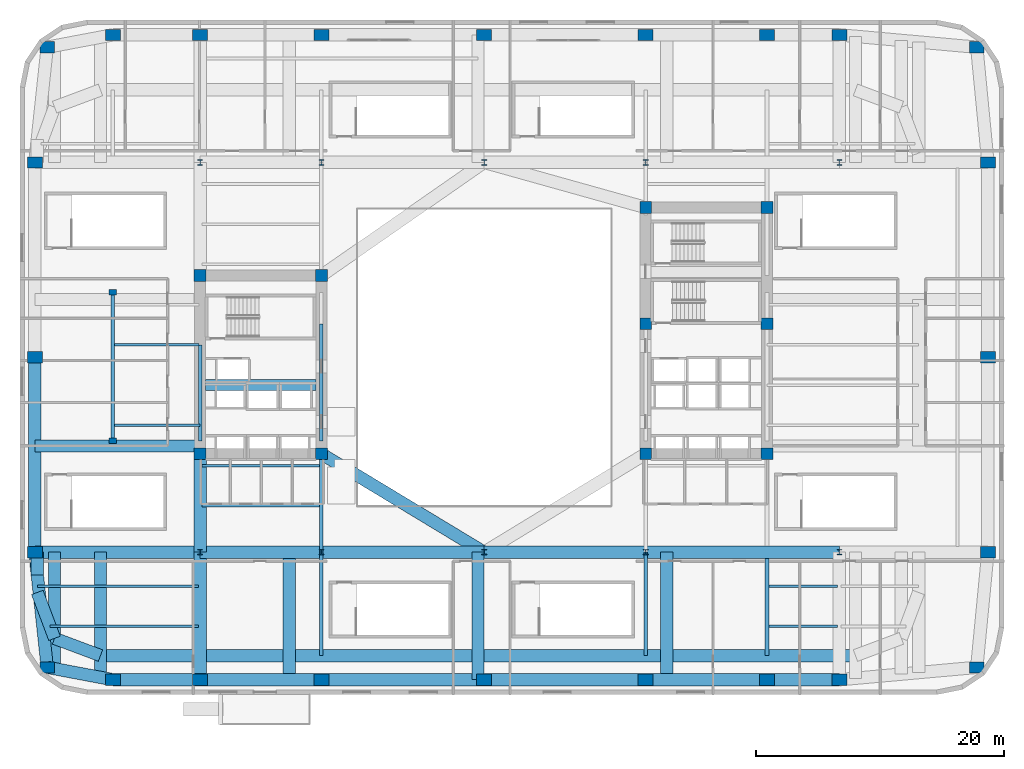
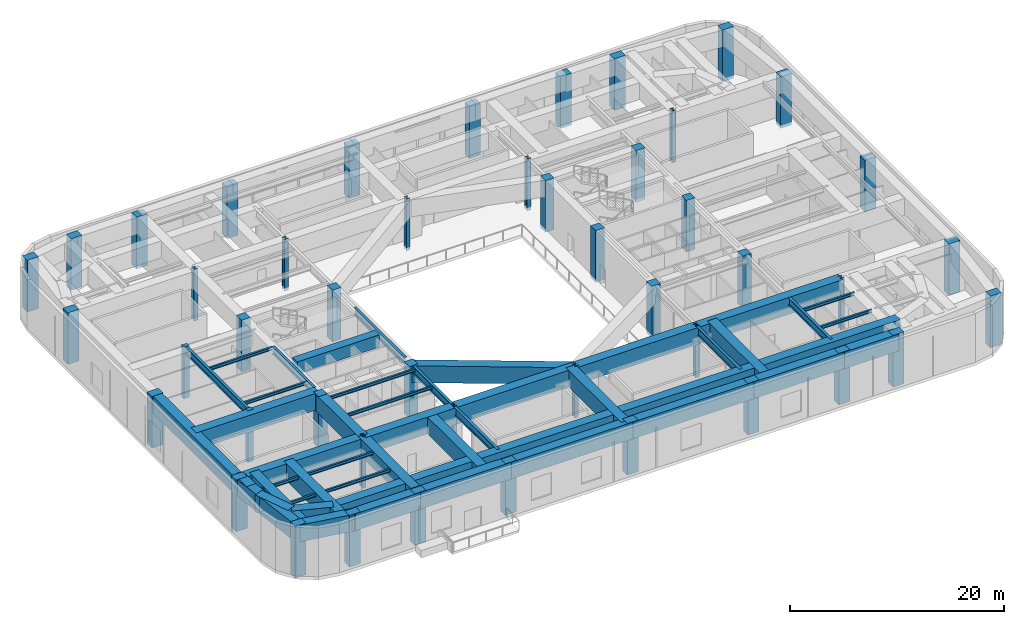
# One storey, part 1 of 16: 46 beams, 46 columns.
"""IFC4 building model written with IfcOpenShell, lengths in metres."""

from ifc_helpers import new_model, si_unit, direction, frame, origin, origin_2d, place, context, subcontext, project, spatial, rectangle, hollow_rectangle, i_section, extrude, material, material_profile, profile_set, type_object, element, save


model = new_model("IFC4")

# Units and contexts
model_context = context("Model", 3, precision=1e-05, world=origin(), true_north=direction((0.0, 1.0)))
body_context = subcontext(model_context, "Body", "Model", "MODEL_VIEW")
ifc_project = project(units=[si_unit("LENGTHUNIT", "METRE"), si_unit("AREAUNIT", "SQUARE_METRE"), si_unit("VOLUMEUNIT", "CUBIC_METRE"), si_unit("PLANEANGLEUNIT", "RADIAN"), si_unit("MASSUNIT", "GRAM", prefix="KILO")], contexts=[model_context])

# Site, building, storey
site_placement = place(None, origin())
site = spatial("IfcSite", under=ifc_project, at=site_placement, CompositionType="ELEMENT")
building_placement = place(site_placement, origin())
building = spatial("IfcBuilding", under=site, at=building_placement, Name="Kolvaren Arena Tower", CompositionType="ELEMENT")
storey_placement = place(building_placement, frame((0.0, 0.0, 28.0)))
storey = spatial("IfcBuildingStorey", under=building, at=storey_placement, Name="L05", CompositionType="ELEMENT", Elevation=28.0)

# Columns
ifc_material_1 = material(Name="Precast concrete C70/85", Category="concrete")
ifc_material_profile_1 = material_profile(ifc_material_1, rectangle(XDim=1.199951171875, YDim=0.89990234375, at=origin_2d()), Name="RC-1200x900")
ifc_profile_set_1 = profile_set([ifc_material_profile_1], Name="Precast concrete C70/85")
column_type_1 = type_object("IfcColumnType", Name="EXCOL-Z1", PredefinedType="COLUMN", material=ifc_profile_set_1)
for number, where, z_axis, x_axis, name in (
    (1, (2.199951171875, 2.199951171875, -0.35009765625), (0.0, 0.0, 1.0), (1.0, 0.0, 0.0), "Podium Perimeter Column PS-C0 (L05)"),
    (2, (7.5, 1.199951171875, -0.35009765625), (0.0, 0.0, 1.0), (1.0, 0.0, 0.0), "Podium Perimeter Column PS-01 (L05)"),
    (3, (14.550048828125, 1.199951171875, -0.35009765625), (0.0, 0.0, 1.0), (1.0, 0.0, 0.0), "Podium Perimeter Column PS-02 (L05)"),
    (4, (24.35009765625, 1.199951171875, -0.35009765625), (0.0, 0.0, 1.0), (1.0, 0.0, 0.0), "Podium Perimeter Column PS-03 (L05)"),
    (5, (37.5, 1.199951171875, -0.35009765625), (0.0, 0.0, 1.0), (1.0, 0.0, 0.0), "Podium Perimeter Column PS-04 (L05)"),
    (6, (50.550048828125, 1.199951171875, -0.35009765625), (0.0, 0.0, 1.0), (1.0, 0.0, 0.0), "Podium Perimeter Column PS-05 (L05)"),
    (7, (60.35009765625, 1.199951171875, -0.35009765625), (0.0, 0.0, 1.0), (1.0, 0.0, 0.0), "Podium Perimeter Column PS-06 (L05)"),
    (8, (66.199951171875, 1.199951171875, -0.35009765625), (0.0, 0.0, 1.0), (1.0, 0.0, 0.0), "Podium Perimeter Column PS-07 (L05)"),
    (9, (77.300048828125, 2.199951171875, -0.35009765625), (0.0, 0.0, 1.0), (1.0, 0.0, 0.0), "Podium Perimeter Column PE-C0 (L05)"),
    (10, (78.199951171875, 11.5, -0.35009765625), (0.0, 0.0, 1.0), (1.0, 0.0, 0.0), "Podium Perimeter Column PE-01 (L05)"),
    (11, (78.199951171875, 27.25, -0.35009765625), (0.0, 0.0, 1.0), (1.0, 0.0, 0.0), "Podium Perimeter Column PE-02 (L05)"),
    (12, (78.199951171875, 43.0, -0.35009765625), (0.0, 0.0, 1.0), (1.0, 0.0, 0.0), "Podium Perimeter Column PE-03 (L05)"),
    (13, (77.300048828125, 52.300048828125, -0.35009765625), (0.0, 0.0, 1.0), (1.0, 0.0, 0.0), "Podium Perimeter Column PN-C1 (L05)"),
    (14, (66.199951171875, 53.300048828125, -0.35009765625), (0.0, 0.0, 1.0), (1.0, 0.0, 0.0), "Podium Perimeter Column PN-07 (L05)"),
    (15, (60.35009765625, 53.300048828125, -0.35009765625), (0.0, 0.0, 1.0), (1.0, 0.0, 0.0), "Podium Perimeter Column PN-06 (L05)"),
    (16, (50.550048828125, 53.300048828125, -0.35009765625), (0.0, 0.0, 1.0), (1.0, 0.0, 0.0), "Podium Perimeter Column PN-05 (L05)"),
    (17, (37.5, 53.300048828125, -0.35009765625), (0.0, 0.0, 1.0), (1.0, 0.0, 0.0), "Podium Perimeter Column PN-04 (L05)"),
    (18, (24.35009765625, 53.300048828125, -0.35009765625), (0.0, 0.0, 1.0), (1.0, 0.0, 0.0), "Podium Perimeter Column PN-03 (L05)"),
    (19, (14.550048828125, 53.300048828125, -0.35009765625), (0.0, 0.0, 1.0), (1.0, 0.0, 0.0), "Podium Perimeter Column PN-02 (L05)"),
    (20, (7.5, 53.300048828125, -0.35009765625), (0.0, 0.0, 1.0), (1.0, 0.0, 0.0), "Podium Perimeter Column PN-01 (L05)"),
    (21, (2.199951171875, 52.300048828125, -0.35009765625), (0.0, 0.0, 1.0), (1.0, 0.0, 0.0), "Podium Perimeter Column PN-C0 (L05)"),
    (22, (1.199951171875, 43.0, -0.35009765625), (0.0, 0.0, 1.0), (1.0, 0.0, 0.0), "Podium Perimeter Column PW-03 (L05)"),
    (23, (1.199951171875, 27.25, -0.35009765625), (0.0, 0.0, 1.0), (1.0, 0.0, 0.0), "Podium Perimeter Column PW-02 (L05)"),
    (24, (1.199951171875, 11.5, -0.35009765625), (0.0, 0.0, 1.0), (1.0, 0.0, 0.0), "Podium Perimeter Column PW-01 (L05)"),
):
    element("IfcColumn", number, at=place(storey_placement, frame(where, z_axis=z_axis, x_axis=x_axis)), inside=storey, type_object=column_type_1, Name=name, PredefinedType="COLUMN", context=body_context, shape_type="SweptSolid", body=[
        extrude(rectangle(XDim=1.199951171875, YDim=0.89990234375, at=origin_2d()), origin(), (0.0, 0.0, 1.0), 5.900146484375),
    ])
ifc_material_2 = material(Name="Concrete 60 MPa", Category="concrete")
ifc_material_profile_2 = material_profile(ifc_material_2, rectangle(XDim=0.949951171875, YDim=0.949951171875, at=origin_2d()), Name="RC-950x950")
ifc_profile_set_2 = profile_set([ifc_material_profile_2], Name="Concrete 60 MPa")
column_type_2 = type_object("IfcColumnType", Name="PCOL-B1", PredefinedType="COLUMN", material=ifc_profile_set_2)
for number, where, z_axis, x_axis, name in (
    (25, (14.550048828125, 19.449951171875, -0.35009765625), (0.0, 0.0, 1.0), (1.0, 0.0, 0.0), "Core Boundary Column WC-SW (L05)"),
    (26, (24.35009765625, 19.449951171875, -0.35009765625), (0.0, 0.0, 1.0), (1.0, 0.0, 0.0), "Core Boundary Column WC-SE (L05)"),
    (27, (14.550048828125, 33.85009765625, -0.35009765625), (0.0, 0.0, 1.0), (1.0, 0.0, 0.0), "Core Boundary Column WC-NW (L05)"),
    (28, (24.35009765625, 33.85009765625, -0.35009765625), (0.0, 0.0, 1.0), (1.0, 0.0, 0.0), "Core Boundary Column WC-NE (L05)"),
    (29, (50.550048828125, 19.449951171875, -0.35009765625), (0.0, 0.0, 1.0), (1.0, 0.0, 0.0), "Core Boundary Column EC-SW (L05)"),
    (30, (60.35009765625, 19.449951171875, -0.35009765625), (0.0, 0.0, 1.0), (1.0, 0.0, 0.0), "Core Boundary Column EC-SE (L05)"),
    (31, (50.550048828125, 29.949951171875, -0.35009765625), (0.0, 0.0, 1.0), (1.0, 0.0, 0.0), "Core Boundary Column EC-MW (L05)"),
    (32, (60.35009765625, 29.949951171875, -0.35009765625), (0.0, 0.0, 1.0), (1.0, 0.0, 0.0), "Core Boundary Column EC-ME (L05)"),
    (33, (50.550048828125, 39.35009765625, -0.35009765625), (0.0, 0.0, 1.0), (1.0, 0.0, 0.0), "Core Boundary Column EC-NW (L05)"),
    (34, (60.35009765625, 39.35009765625, -0.35009765625), (0.0, 0.0, 1.0), (1.0, 0.0, 0.0), "Core Boundary Column EC-NE (L05)"),
):
    element("IfcColumn", number, at=place(storey_placement, frame(where, z_axis=z_axis, x_axis=x_axis)), inside=storey, type_object=column_type_2, Name=name, PredefinedType="COLUMN", context=body_context, shape_type="SweptSolid", body=[
        extrude(rectangle(XDim=0.949951171875, YDim=0.949951171875, at=origin_2d()), origin(), (0.0, 0.0, 1.0), 5.900146484375),
    ])
ifc_material_3 = material(Name="Precast concrete C50/60", Category="concrete")
ifc_material_profile_3 = material_profile(ifc_material_3, rectangle(XDim=0.60009765625, YDim=0.449951171875, at=origin_2d()), Name="RC-600x450")
ifc_profile_set_3 = profile_set([ifc_material_profile_3], Name="Precast concrete C50/60")
column_type_3 = type_object("IfcColumnType", Name="PIL-01", PredefinedType="PILASTER", material=ifc_profile_set_3)
for number, where, z_axis, x_axis, name in (
    (35, (7.5, 20.5, -0.35009765625), (0.0, 0.0, 1.0), (1.0, 0.0, 0.0), "Concourse Structural Pilaster 1 (L05)"),
    (36, (7.5, 32.5, -0.35009765625), (0.0, 0.0, 1.0), (1.0, 0.0, 0.0), "Concourse Structural Pilaster 2 (L05)"),
):
    element("IfcColumn", number, at=place(storey_placement, frame(where, z_axis=z_axis, x_axis=x_axis)), inside=storey, type_object=column_type_3, Name=name, PredefinedType="PILASTER", context=body_context, shape_type="SweptSolid", body=[
        extrude(rectangle(XDim=0.60009765625, YDim=0.449951171875, at=origin_2d()), origin(), (0.0, 0.0, 1.0), 5.900146484375),
    ])
ifc_material_4 = material(Name="Steel ASTM A913 Grade 65", Category="steel")
ifc_material_profile_4 = material_profile(ifc_material_4, i_section(OverallWidth=0.424072265625, OverallDepth=0.47412109375, WebThickness=0.047607421875, FlangeThickness=0.076904296875, FilletRadius=0.02001953125, at=origin_2d()), Name="W360x634")
ifc_profile_set_4 = profile_set([ifc_material_profile_4], Name="Steel ASTM A913 Grade 65")
column_type_4 = type_object("IfcColumnType", Name="SCOL-Z1", PredefinedType="COLUMN", material=ifc_profile_set_4)
for number, where, z_axis, x_axis, name in (
    (37, (14.550048828125, 11.5, -0.35009765625), (0.0, 0.0, 1.0), (1.0, 0.0, 0.0), "Concourse Structural Column PB-S1 (L05)"),
    (38, (24.35009765625, 11.5, -0.35009765625), (0.0, 0.0, 1.0), (1.0, 0.0, 0.0), "Concourse Structural Column PB-S2 (L05)"),
    (39, (37.5, 11.5, -0.35009765625), (0.0, 0.0, 1.0), (1.0, 0.0, 0.0), "Concourse Structural Column PB-S3 (L05)"),
    (40, (50.550048828125, 11.5, -0.35009765625), (0.0, 0.0, 1.0), (1.0, 0.0, 0.0), "Concourse Structural Column PB-S4 (L05)"),
    (41, (66.199951171875, 11.5, -0.35009765625), (0.0, 0.0, 1.0), (1.0, 0.0, 0.0), "Concourse Structural Column PB-S5 (L05)"),
    (42, (14.550048828125, 43.0, -0.35009765625), (0.0, 0.0, 1.0), (1.0, 0.0, 0.0), "Concourse Structural Column PB-N1 (L05)"),
    (43, (24.35009765625, 43.0, -0.35009765625), (0.0, 0.0, 1.0), (1.0, 0.0, 0.0), "Concourse Structural Column PB-N2 (L05)"),
    (44, (37.5, 43.0, -0.35009765625), (0.0, 0.0, 1.0), (1.0, 0.0, 0.0), "Concourse Structural Column PB-N3 (L05)"),
    (45, (50.550048828125, 43.0, -0.35009765625), (0.0, 0.0, 1.0), (1.0, 0.0, 0.0), "Concourse Structural Column PB-N4 (L05)"),
    (46, (66.199951171875, 43.0, -0.35009765625), (0.0, 0.0, 1.0), (1.0, 0.0, 0.0), "Concourse Structural Column PB-N5 (L05)"),
):
    element("IfcColumn", number, at=place(storey_placement, frame(where, z_axis=z_axis, x_axis=x_axis)), inside=storey, type_object=column_type_4, Name=name, PredefinedType="COLUMN", context=body_context, shape_type="SweptSolid", body=[
        extrude(i_section(OverallWidth=0.424072265625, OverallDepth=0.47412109375, WebThickness=0.047607421875, FlangeThickness=0.076904296875, FilletRadius=0.02001953125, at=origin_2d()), origin(), (0.0, 0.0, 1.0), 5.900146484375),
    ])

# Beams
ifc_material_5 = material(Name="Concrete 75 MPa", Category="concrete")
ifc_material_profile_5 = material_profile(ifc_material_5, rectangle(XDim=0.89990234375, YDim=1.39990234375, at=origin_2d()), Name="RC-900x1400")
ifc_profile_set_5 = profile_set([ifc_material_profile_5], Name="Concrete 75 MPa")
beam_type_1 = type_object("IfcBeamType", Name="CB-CORE-1", PredefinedType="BEAM", material=ifc_profile_set_5)
beam_1_placement = place(storey_placement, frame((15.0, 25.0, 5.1201171875), z_axis=(1.0, 0.0, 0.0), x_axis=(0.0, 1.0, 0.0)))
element("IfcBeam", 47, at=beam_1_placement, inside=storey, type_object=beam_type_1, Name="West Core Coupling Beam (L05)", PredefinedType="BEAM", context=body_context, shape_type="SweptSolid", body=[
    extrude(rectangle(XDim=0.89990234375, YDim=1.39990234375, at=origin_2d()), origin(), (0.0, 0.0, 1.0), 8.89990234375),
])
ifc_material_6 = material(Name="Steel CSA G40.21 350W", Category="steel")
ifc_material_profile_6 = material_profile(ifc_material_6, i_section(OverallWidth=0.2919921875, OverallDepth=0.85498046875, WebThickness=0.02099609375, FlangeThickness=0.03564453125, FilletRadius=0.01806640625, at=origin_2d()), Name="W840x299")
ifc_profile_set_6 = profile_set([ifc_material_profile_6], Name="Steel CSA G40.21 350W")
beam_type_2 = type_object("IfcBeamType", Name="GIRD-P1", PredefinedType="BEAM", material=ifc_profile_set_6)
beam_2_placement = place(storey_placement, frame((7.5, 20.5, 5.12255859375), z_axis=(0.0, 1.0, 0.0), x_axis=(-1.0, 0.0, 0.0)))
element("IfcBeam", 48, at=beam_2_placement, inside=storey, type_object=beam_type_2, Name="Primary Floor Girder (L05)", PredefinedType="BEAM", context=body_context, shape_type="SweptSolid", body=[
    extrude(i_section(OverallWidth=0.2919921875, OverallDepth=0.85498046875, WebThickness=0.02099609375, FlangeThickness=0.03564453125, FilletRadius=0.01806640625, at=origin_2d()), origin(), (0.0, 0.0, 1.0), 12.0),
])
beam_3_placement = place(storey_placement, frame((14.550048828125, 20.5, 5.12255859375), z_axis=(0.0, 1.0, 0.0), x_axis=(-1.0, 0.0, 0.0)))
element("IfcBeam", 49, at=beam_3_placement, inside=storey, type_object=beam_type_2, Name="Primary Floor Girder (L05)", PredefinedType="BEAM", context=body_context, shape_type="SweptSolid", body=[
    extrude(i_section(OverallWidth=0.2919921875, OverallDepth=0.85498046875, WebThickness=0.02099609375, FlangeThickness=0.03564453125, FilletRadius=0.01806640625, at=origin_2d()), origin(), (0.0, 0.0, 1.0), 7.739990234375),
])
beam_4_placement = place(storey_placement, frame((24.35009765625, 3.14990234375, 5.12255859375), z_axis=(0.0, 1.0, 0.0), x_axis=(-1.0, 0.0, 0.0)))
element("IfcBeam", 50, at=beam_4_placement, inside=storey, type_object=beam_type_2, Name="Primary Floor Girder (L05)", PredefinedType="BEAM", context=body_context, shape_type="SweptSolid", body=[
    extrude(i_section(OverallWidth=0.2919921875, OverallDepth=0.85498046875, WebThickness=0.02099609375, FlangeThickness=0.03564453125, FilletRadius=0.01806640625, at=origin_2d()), origin(), (0.0, 0.0, 1.0), 8.35009765625),
])
beam_5_placement = place(storey_placement, frame((24.35009765625, 11.5, 5.12255859375), z_axis=(0.0, 1.0, 0.0), x_axis=(-1.0, 0.0, 0.0)))
element("IfcBeam", 51, at=beam_5_placement, inside=storey, type_object=beam_type_2, Name="Primary Floor Girder (L05)", PredefinedType="BEAM", context=body_context, shape_type="SweptSolid", body=[
    extrude(i_section(OverallWidth=0.2919921875, OverallDepth=0.85498046875, WebThickness=0.02099609375, FlangeThickness=0.03564453125, FilletRadius=0.01806640625, at=origin_2d()), origin(), (0.0, 0.0, 1.0), 7.949951171875),
])
beam_6_placement = place(storey_placement, frame((24.35009765625, 20.5, 5.12255859375), z_axis=(0.0, 1.0, 0.0), x_axis=(-1.0, 0.0, 0.0)))
element("IfcBeam", 52, at=beam_6_placement, inside=storey, type_object=beam_type_2, Name="Primary Floor Girder (L05)", PredefinedType="BEAM", context=body_context, shape_type="SweptSolid", body=[
    extrude(i_section(OverallWidth=0.2919921875, OverallDepth=0.85498046875, WebThickness=0.02099609375, FlangeThickness=0.03564453125, FilletRadius=0.01806640625, at=origin_2d()), origin(), (0.0, 0.0, 1.0), 9.449951171875),
])
beam_7_placement = place(storey_placement, frame((50.550048828125, 3.14990234375, 5.12255859375), z_axis=(0.0, 1.0, 0.0), x_axis=(-1.0, 0.0, 0.0)))
element("IfcBeam", 53, at=beam_7_placement, inside=storey, type_object=beam_type_2, Name="Primary Floor Girder (L05)", PredefinedType="BEAM", context=body_context, shape_type="SweptSolid", body=[
    extrude(i_section(OverallWidth=0.2919921875, OverallDepth=0.85498046875, WebThickness=0.02099609375, FlangeThickness=0.03564453125, FilletRadius=0.01806640625, at=origin_2d()), origin(), (0.0, 0.0, 1.0), 8.35009765625),
])
beam_8_placement = place(storey_placement, frame((60.35009765625, 3.14990234375, 5.12255859375), z_axis=(0.0, 1.0, 0.0), x_axis=(-1.0, 0.0, 0.0)))
element("IfcBeam", 54, at=beam_8_placement, inside=storey, type_object=beam_type_2, Name="Primary Floor Girder (L05)", PredefinedType="BEAM", context=body_context, shape_type="SweptSolid", body=[
    extrude(i_section(OverallWidth=0.2919921875, OverallDepth=0.85498046875, WebThickness=0.02099609375, FlangeThickness=0.03564453125, FilletRadius=0.01806640625, at=origin_2d()), origin(), (0.0, 0.0, 1.0), 7.85009765625),
])
ifc_material_profile_7 = material_profile(ifc_material_6, i_section(OverallWidth=0.202880859375, OverallDepth=0.346923828125, WebThickness=0.0078125, FlangeThickness=0.013427734375, FilletRadius=0.010986328125, at=origin_2d()), Name="W360x64")
ifc_profile_set_7 = profile_set([ifc_material_profile_7], Name="Steel CSA G40.21 350W")
beam_type_3 = type_object("IfcBeamType", Name="JOIST-01", PredefinedType="JOIST", material=ifc_profile_set_7)
beam_9_placement = place(storey_placement, frame((2.431396484375, 5.5, 5.37646484375), z_axis=(1.0, 0.0, 0.0), x_axis=(0.0, 1.0, 0.0)))
element("IfcBeam", 55, at=beam_9_placement, inside=storey, type_object=beam_type_3, Name="Composite Floor Joist (L05)", PredefinedType="JOIST", context=body_context, shape_type="SweptSolid", body=[
    extrude(i_section(OverallWidth=0.202880859375, OverallDepth=0.346923828125, WebThickness=0.0078125, FlangeThickness=0.013427734375, FilletRadius=0.010986328125, at=origin_2d()), origin(), (0.0, 0.0, 1.0), 11.97265625),
])
beam_10_placement = place(storey_placement, frame((60.49609375, 5.5, 5.37646484375), z_axis=(1.0, 0.0, 0.0), x_axis=(0.0, 1.0, 0.0)))
element("IfcBeam", 56, at=beam_10_placement, inside=storey, type_object=beam_type_3, Name="Composite Floor Joist (L05)", PredefinedType="JOIST", context=body_context, shape_type="SweptSolid", body=[
    extrude(i_section(OverallWidth=0.202880859375, OverallDepth=0.346923828125, WebThickness=0.0078125, FlangeThickness=0.013427734375, FilletRadius=0.010986328125, at=origin_2d()), origin(), (0.0, 0.0, 1.0), 5.557861328125),
])
beam_11_placement = place(storey_placement, frame((1.39990234375, 8.75, 5.37646484375), z_axis=(1.0, 0.0, 0.0), x_axis=(0.0, 1.0, 0.0)))
element("IfcBeam", 57, at=beam_11_placement, inside=storey, type_object=beam_type_3, Name="Composite Floor Joist (L05)", PredefinedType="JOIST", context=body_context, shape_type="SweptSolid", body=[
    extrude(i_section(OverallWidth=0.202880859375, OverallDepth=0.346923828125, WebThickness=0.0078125, FlangeThickness=0.013427734375, FilletRadius=0.010986328125, at=origin_2d()), origin(), (0.0, 0.0, 1.0), 13.004150390625),
])
beam_12_placement = place(storey_placement, frame((60.49609375, 8.75, 5.37646484375), z_axis=(1.0, 0.0, 0.0), x_axis=(0.0, 1.0, 0.0)))
element("IfcBeam", 58, at=beam_12_placement, inside=storey, type_object=beam_type_3, Name="Composite Floor Joist (L05)", PredefinedType="JOIST", context=body_context, shape_type="SweptSolid", body=[
    extrude(i_section(OverallWidth=0.202880859375, OverallDepth=0.346923828125, WebThickness=0.0078125, FlangeThickness=0.013427734375, FilletRadius=0.010986328125, at=origin_2d()), origin(), (0.0, 0.0, 1.0), 5.557861328125),
])
for number, where, z_axis, x_axis, name in (
    (59, (14.696044921875, 15.25, 5.37646484375), (1.0, 0.0, 0.0), (0.0, 1.0, 0.0), "Composite Floor Joist (L05)"),
    (60, (14.696044921875, 18.5, 5.37646484375), (1.0, 0.0, 0.0), (0.0, 1.0, 0.0), "Composite Floor Joist (L05)"),
):
    element("IfcBeam", number, at=place(storey_placement, frame(where, z_axis=z_axis, x_axis=x_axis)), inside=storey, type_object=beam_type_3, Name=name, PredefinedType="JOIST", context=body_context, shape_type="SweptSolid", body=[
        extrude(i_section(OverallWidth=0.202880859375, OverallDepth=0.346923828125, WebThickness=0.0078125, FlangeThickness=0.013427734375, FilletRadius=0.010986328125, at=origin_2d()), origin(), (0.0, 0.0, 1.0), 9.508056640625),
    ])
beam_13_placement = place(storey_placement, frame((7.64599609375, 21.75, 5.37646484375), z_axis=(1.0, 0.0, 0.0), x_axis=(0.0, 1.0, 0.0)))
element("IfcBeam", 61, at=beam_13_placement, inside=storey, type_object=beam_type_3, Name="Composite Floor Joist (L05)", PredefinedType="JOIST", context=body_context, shape_type="SweptSolid", body=[
    extrude(i_section(OverallWidth=0.202880859375, OverallDepth=0.346923828125, WebThickness=0.0078125, FlangeThickness=0.013427734375, FilletRadius=0.010986328125, at=origin_2d()), origin(), (0.0, 0.0, 1.0), 6.884033203125),
])
beam_14_placement = place(storey_placement, frame((7.64599609375, 28.25, 5.37646484375), z_axis=(1.0, 0.0, 0.0), x_axis=(0.0, 1.0, 0.0)))
element("IfcBeam", 62, at=beam_14_placement, inside=storey, type_object=beam_type_3, Name="Composite Floor Joist (L05)", PredefinedType="JOIST", context=body_context, shape_type="SweptSolid", body=[
    extrude(i_section(OverallWidth=0.202880859375, OverallDepth=0.346923828125, WebThickness=0.0078125, FlangeThickness=0.013427734375, FilletRadius=0.010986328125, at=origin_2d()), origin(), (0.0, 0.0, 1.0), 6.833984375),
])
ifc_material_7 = material(Name="Steel CSA G40.21 350WT", Category="steel")
ifc_material_profile_8 = material_profile(ifc_material_7, hollow_rectangle(XDim=1.0, YDim=1.919921875, WallThickness=0.044921875, at=origin_2d()), Name="BOX 1000x1920x45")
ifc_profile_set_8 = profile_set([ifc_material_profile_8], Name="Steel CSA G40.21 350WT")
beam_type_4 = type_object("IfcBeamType", Name="TG-MEGA", PredefinedType="USERDEFINED", material=ifc_profile_set_8)
beam_15_placement = place(storey_placement, frame((2.199951171875, 2.199951171875, 4.590087890625), z_axis=(0.982661964955, -0.185406209796, 0.0), x_axis=(0.185406209796, 0.982661964955, 0.0)))
element("IfcBeam", 63, at=beam_15_placement, inside=storey, type_object=beam_type_4, Name="Podium Perimeter Transfer Girder 01", ObjectType="TRANSFER GIRDER", PredefinedType="USERDEFINED", context=body_context, shape_type="SweptSolid", body=[
    extrude(hollow_rectangle(XDim=1.0, YDim=1.919921875, WallThickness=0.044921875, at=origin_2d()), origin(), (0.0, 0.0, 1.0), 5.3935546875),
])
beam_16_placement = place(storey_placement, frame((7.5, 1.199951171875, 4.590087890625), z_axis=(1.0, 0.0, 0.0), x_axis=(0.0, 1.0, 0.0)))
element("IfcBeam", 64, at=beam_16_placement, inside=storey, type_object=beam_type_4, Name="Podium Perimeter Transfer Girder 02", ObjectType="TRANSFER GIRDER", PredefinedType="USERDEFINED", context=body_context, shape_type="SweptSolid", body=[
    extrude(hollow_rectangle(XDim=1.0, YDim=1.919921875, WallThickness=0.044921875, at=origin_2d()), origin(), (0.0, 0.0, 1.0), 7.050048828125),
])
beam_17_placement = place(storey_placement, frame((14.550048828125, 1.199951171875, 4.590087890625), z_axis=(1.0, 0.0, 0.0), x_axis=(0.0, 1.0, 0.0)))
element("IfcBeam", 65, at=beam_17_placement, inside=storey, type_object=beam_type_4, Name="Podium Perimeter Transfer Girder 03", ObjectType="TRANSFER GIRDER", PredefinedType="USERDEFINED", context=body_context, shape_type="SweptSolid", body=[
    extrude(hollow_rectangle(XDim=1.0, YDim=1.919921875, WallThickness=0.044921875, at=origin_2d()), origin(), (0.0, 0.0, 1.0), 9.800048828125),
])
beam_18_placement = place(storey_placement, frame((24.35009765625, 1.199951171875, 4.590087890625), z_axis=(1.0, 0.0, 0.0), x_axis=(0.0, 1.0, 0.0)))
element("IfcBeam", 66, at=beam_18_placement, inside=storey, type_object=beam_type_4, Name="Podium Perimeter Transfer Girder 04", ObjectType="TRANSFER GIRDER", PredefinedType="USERDEFINED", context=body_context, shape_type="SweptSolid", body=[
    extrude(hollow_rectangle(XDim=1.0, YDim=1.919921875, WallThickness=0.044921875, at=origin_2d()), origin(), (0.0, 0.0, 1.0), 13.14990234375),
])
beam_19_placement = place(storey_placement, frame((37.5, 1.199951171875, 4.590087890625), z_axis=(1.0, 0.0, 0.0), x_axis=(0.0, 1.0, 0.0)))
element("IfcBeam", 67, at=beam_19_placement, inside=storey, type_object=beam_type_4, Name="Podium Perimeter Transfer Girder 05", ObjectType="TRANSFER GIRDER", PredefinedType="USERDEFINED", context=body_context, shape_type="SweptSolid", body=[
    extrude(hollow_rectangle(XDim=1.0, YDim=1.919921875, WallThickness=0.044921875, at=origin_2d()), origin(), (0.0, 0.0, 1.0), 13.050048828125),
])
beam_20_placement = place(storey_placement, frame((50.550048828125, 1.199951171875, 4.590087890625), z_axis=(1.0, 0.0, 0.0), x_axis=(0.0, 1.0, 0.0)))
element("IfcBeam", 68, at=beam_20_placement, inside=storey, type_object=beam_type_4, Name="Podium Perimeter Transfer Girder 06", ObjectType="TRANSFER GIRDER", PredefinedType="USERDEFINED", context=body_context, shape_type="SweptSolid", body=[
    extrude(hollow_rectangle(XDim=1.0, YDim=1.919921875, WallThickness=0.044921875, at=origin_2d()), origin(), (0.0, 0.0, 1.0), 9.800048828125),
])
beam_21_placement = place(storey_placement, frame((60.35009765625, 1.199951171875, 4.590087890625), z_axis=(1.0, 0.0, 0.0), x_axis=(0.0, 1.0, 0.0)))
element("IfcBeam", 69, at=beam_21_placement, inside=storey, type_object=beam_type_4, Name="Podium Perimeter Transfer Girder 07", ObjectType="TRANSFER GIRDER", PredefinedType="USERDEFINED", context=body_context, shape_type="SweptSolid", body=[
    extrude(hollow_rectangle(XDim=1.0, YDim=1.919921875, WallThickness=0.044921875, at=origin_2d()), origin(), (0.0, 0.0, 1.0), 5.849853515625),
])
beam_22_placement = place(storey_placement, frame((1.199951171875, 27.25, 4.590087890625), z_axis=(0.0, -1.0, 0.0), x_axis=(1.0, 0.0, 0.0)))
element("IfcBeam", 70, at=beam_22_placement, inside=storey, type_object=beam_type_4, Name="Podium Perimeter Transfer Girder 23", ObjectType="TRANSFER GIRDER", PredefinedType="USERDEFINED", context=body_context, shape_type="SweptSolid", body=[
    extrude(hollow_rectangle(XDim=1.0, YDim=1.919921875, WallThickness=0.044921875, at=origin_2d()), origin(), (0.0, 0.0, 1.0), 15.75),
])
beam_23_placement = place(storey_placement, frame((1.199951171875, 11.5, 4.590087890625), z_axis=(0.106910051219, -0.994268696555, 0.0), x_axis=(0.994268696555, 0.106910051219, 0.0)))
element("IfcBeam", 71, at=beam_23_placement, inside=storey, type_object=beam_type_4, Name="Podium Perimeter Transfer Girder 24", ObjectType="TRANSFER GIRDER", PredefinedType="USERDEFINED", context=body_context, shape_type="SweptSolid", body=[
    extrude(hollow_rectangle(XDim=1.0, YDim=1.919921875, WallThickness=0.044921875, at=origin_2d()), origin(), (0.0, 0.0, 1.0), 9.353759765625),
])
beam_24_placement = place(storey_placement, frame((1.199951171875, 11.5, 4.590087890625), z_axis=(1.0, 0.0, 0.0), x_axis=(0.0, 1.0, 0.0)))
element("IfcBeam", 72, at=beam_24_placement, inside=storey, type_object=beam_type_4, Name="Interior Podium Transfer Girder 01", ObjectType="TRANSFER GIRDER", PredefinedType="USERDEFINED", context=body_context, shape_type="SweptSolid", body=[
    extrude(hollow_rectangle(XDim=1.0, YDim=1.919921875, WallThickness=0.044921875, at=origin_2d()), origin(), (0.0, 0.0, 1.0), 13.35009765625),
])
beam_25_placement = place(storey_placement, frame((14.550048828125, 11.5, 4.590087890625), z_axis=(1.0, 0.0, 0.0), x_axis=(0.0, 1.0, 0.0)))
element("IfcBeam", 73, at=beam_25_placement, inside=storey, type_object=beam_type_4, Name="Interior Podium Transfer Girder 02", ObjectType="TRANSFER GIRDER", PredefinedType="USERDEFINED", context=body_context, shape_type="SweptSolid", body=[
    extrude(hollow_rectangle(XDim=1.0, YDim=1.919921875, WallThickness=0.044921875, at=origin_2d()), origin(), (0.0, 0.0, 1.0), 9.800048828125),
])
beam_26_placement = place(storey_placement, frame((24.35009765625, 11.5, 4.590087890625), z_axis=(1.0, 0.0, 0.0), x_axis=(0.0, 1.0, 0.0)))
element("IfcBeam", 74, at=beam_26_placement, inside=storey, type_object=beam_type_4, Name="Interior Podium Transfer Girder 03", ObjectType="TRANSFER GIRDER", PredefinedType="USERDEFINED", context=body_context, shape_type="SweptSolid", body=[
    extrude(hollow_rectangle(XDim=1.0, YDim=1.919921875, WallThickness=0.044921875, at=origin_2d()), origin(), (0.0, 0.0, 1.0), 13.14990234375),
])
beam_27_placement = place(storey_placement, frame((37.5, 11.5, 4.590087890625), z_axis=(1.0, 0.0, 0.0), x_axis=(0.0, 1.0, 0.0)))
element("IfcBeam", 75, at=beam_27_placement, inside=storey, type_object=beam_type_4, Name="Interior Podium Transfer Girder 04", ObjectType="TRANSFER GIRDER", PredefinedType="USERDEFINED", context=body_context, shape_type="SweptSolid", body=[
    extrude(hollow_rectangle(XDim=1.0, YDim=1.919921875, WallThickness=0.044921875, at=origin_2d()), origin(), (0.0, 0.0, 1.0), 13.050048828125),
])
beam_28_placement = place(storey_placement, frame((50.550048828125, 11.5, 4.590087890625), z_axis=(1.0, 0.0, 0.0), x_axis=(0.0, 1.0, 0.0)))
element("IfcBeam", 76, at=beam_28_placement, inside=storey, type_object=beam_type_4, Name="Interior Podium Transfer Girder 05", ObjectType="TRANSFER GIRDER", PredefinedType="USERDEFINED", context=body_context, shape_type="SweptSolid", body=[
    extrude(hollow_rectangle(XDim=1.0, YDim=1.919921875, WallThickness=0.044921875, at=origin_2d()), origin(), (0.0, 0.0, 1.0), 15.64990234375),
])
beam_29_placement = place(storey_placement, frame((14.550048828125, 1.199951171875, 4.590087890625), z_axis=(0.0, 1.0, 0.0), x_axis=(-1.0, 0.0, 0.0)))
element("IfcBeam", 77, at=beam_29_placement, inside=storey, type_object=beam_type_4, Name="Interior Podium Transfer Girder 13", ObjectType="TRANSFER GIRDER", PredefinedType="USERDEFINED", context=body_context, shape_type="SweptSolid", body=[
    extrude(hollow_rectangle(XDim=1.0, YDim=1.919921875, WallThickness=0.044921875, at=origin_2d()), origin(), (0.0, 0.0, 1.0), 10.300048828125),
])
beam_30_placement = place(storey_placement, frame((14.550048828125, 11.5, 4.590087890625), z_axis=(0.0, 1.0, 0.0), x_axis=(-1.0, 0.0, 0.0)))
element("IfcBeam", 78, at=beam_30_placement, inside=storey, type_object=beam_type_4, Name="Interior Podium Transfer Girder 14", ObjectType="TRANSFER GIRDER", PredefinedType="USERDEFINED", context=body_context, shape_type="SweptSolid", body=[
    extrude(hollow_rectangle(XDim=1.0, YDim=1.919921875, WallThickness=0.044921875, at=origin_2d()), origin(), (0.0, 0.0, 1.0), 7.949951171875),
])
beam_31_placement = place(storey_placement, frame((6.5, 1.388671875, 4.590087890625), z_axis=(0.0, 1.0, 0.0), x_axis=(-1.0, 0.0, 0.0)))
element("IfcBeam", 79, at=beam_31_placement, inside=storey, type_object=beam_type_4, Name="Podium-to-Tower Transfer Girder 01", ObjectType="TRANSFER GIRDER", PredefinedType="USERDEFINED", context=body_context, shape_type="SweptSolid", body=[
    extrude(hollow_rectangle(XDim=1.0, YDim=1.919921875, WallThickness=0.044921875, at=origin_2d()), origin(), (0.0, 0.0, 1.0), 10.111328125),
])
for number, where, z_axis, x_axis, name in (
    (80, (21.75, 1.199951171875, 4.590087890625), (0.0, 1.0, 0.0), (-1.0, 0.0, 0.0), "Podium-to-Tower Transfer Girder 02"),
    (81, (37.0, 1.199951171875, 4.590087890625), (0.0, 1.0, 0.0), (-1.0, 0.0, 0.0), "Podium-to-Tower Transfer Girder 03"),
    (82, (52.25, 1.199951171875, 4.590087890625), (0.0, 1.0, 0.0), (-1.0, 0.0, 0.0), "Podium-to-Tower Transfer Girder 04"),
):
    element("IfcBeam", number, at=place(storey_placement, frame(where, z_axis=z_axis, x_axis=x_axis)), inside=storey, type_object=beam_type_4, Name=name, ObjectType="TRANSFER GIRDER", PredefinedType="USERDEFINED", context=body_context, shape_type="SweptSolid", body=[
        extrude(hollow_rectangle(XDim=1.0, YDim=1.919921875, WallThickness=0.044921875, at=origin_2d()), origin(), (0.0, 0.0, 1.0), 10.300048828125),
    ])
beam_32_placement = place(storey_placement, frame((1.199951171875, 20.083251953125, 4.590087890625), z_axis=(1.0, 0.0, 0.0), x_axis=(0.0, 1.0, 0.0)))
element("IfcBeam", 83, at=beam_32_placement, inside=storey, type_object=beam_type_4, Name="Podium-to-Tower Transfer Girder 20", ObjectType="TRANSFER GIRDER", PredefinedType="USERDEFINED", context=body_context, shape_type="SweptSolid", body=[
    extrude(hollow_rectangle(XDim=1.0, YDim=1.919921875, WallThickness=0.044921875, at=origin_2d()), origin(), (0.0, 0.0, 1.0), 13.35009765625),
])
beam_33_placement = place(storey_placement, frame((1.39990234375, 9.639892578125, 4.590087890625), z_axis=(0.0, 1.0, 0.0), x_axis=(-1.0, 0.0, 0.0)))
element("IfcBeam", 84, at=beam_33_placement, inside=storey, type_object=beam_type_4, Name="Podium-to-Tower Transfer Girder 21", ObjectType="TRANSFER GIRDER", PredefinedType="USERDEFINED", context=body_context, shape_type="SweptSolid", body=[
    extrude(hollow_rectangle(XDim=1.0, YDim=1.919921875, WallThickness=0.044921875, at=origin_2d()), origin(), (0.0, 0.0, 1.0), 1.860107421875),
])
beam_34_placement = place(storey_placement, frame((2.791259765625, 2.08837890625, 4.590087890625), z_axis=(0.0, 1.0, 0.0), x_axis=(-1.0, 0.0, 0.0)))
element("IfcBeam", 85, at=beam_34_placement, inside=storey, type_object=beam_type_4, Name="Podium-to-Tower Transfer Girder 22", ObjectType="TRANSFER GIRDER", PredefinedType="USERDEFINED", context=body_context, shape_type="SweptSolid", body=[
    extrude(hollow_rectangle(XDim=1.0, YDim=1.919921875, WallThickness=0.044921875, at=origin_2d()), origin(), (0.0, 0.0, 1.0), 9.41162109375),
])
for number, where, z_axis, x_axis, name in (
    (86, (6.5, 3.14990234375, 4.590087890625), (1.0, 0.0, 0.0), (0.0, 1.0, 0.0), "Podium-to-Tower Transfer Ring Girder 01"),
    (87, (21.75, 3.14990234375, 4.590087890625), (1.0, 0.0, 0.0), (0.0, 1.0, 0.0), "Podium-to-Tower Transfer Ring Girder 02"),
    (88, (37.0, 3.14990234375, 4.590087890625), (1.0, 0.0, 0.0), (0.0, 1.0, 0.0), "Podium-to-Tower Transfer Ring Girder 03"),
    (89, (52.25, 3.14990234375, 4.590087890625), (1.0, 0.0, 0.0), (0.0, 1.0, 0.0), "Podium-to-Tower Transfer Ring Girder 04"),
):
    element("IfcBeam", number, at=place(storey_placement, frame(where, z_axis=z_axis, x_axis=x_axis)), inside=storey, type_object=beam_type_4, Name=name, ObjectType="TRANSFER GIRDER", PredefinedType="USERDEFINED", context=body_context, shape_type="SweptSolid", body=[
        extrude(hollow_rectangle(XDim=1.0, YDim=1.919921875, WallThickness=0.044921875, at=origin_2d()), origin(), (0.0, 0.0, 1.0), 15.25),
    ])
for number, where, z_axis, x_axis, name in (
    (90, (1.39990234375, 8.25, 4.590087890625), (0.351251771955, -0.93628104365, 0.0), (0.93628104365, 0.351251771955, 0.0), "Podium-to-Tower Transfer Ring Girder 21"),
    (91, (2.791259765625, 4.541259765625, 4.590087890625), (0.93628104365, -0.351251771955, 0.0), (0.351251771955, 0.93628104365, 0.0), "Podium-to-Tower Transfer Ring Girder 22"),
):
    element("IfcBeam", number, at=place(storey_placement, frame(where, z_axis=z_axis, x_axis=x_axis)), inside=storey, type_object=beam_type_4, Name=name, ObjectType="TRANSFER GIRDER", PredefinedType="USERDEFINED", context=body_context, shape_type="SweptSolid", body=[
        extrude(hollow_rectangle(XDim=1.0, YDim=1.919921875, WallThickness=0.044921875, at=origin_2d()), origin(), (0.0, 0.0, 1.0), 3.961181640625),
    ])
beam_35_placement = place(storey_placement, frame((24.35009765625, 19.449951171875, 4.590087890625), z_axis=(0.85576519268, -0.517364412187, 0.0), x_axis=(0.517364412187, 0.85576519268, 0.0)))
element("IfcBeam", 92, at=beam_35_placement, inside=storey, type_object=beam_type_4, Name="Mega-Transfer A-Frame Base Support Girder 1 (L05)", ObjectType="TRANSFER GIRDER", PredefinedType="USERDEFINED", context=body_context, shape_type="SweptSolid", body=[
    extrude(hollow_rectangle(XDim=1.0, YDim=1.919921875, WallThickness=0.044921875, at=origin_2d()), origin(), (0.0, 0.0, 1.0), 15.3662109375),
])

save(model, "model.ifc")
